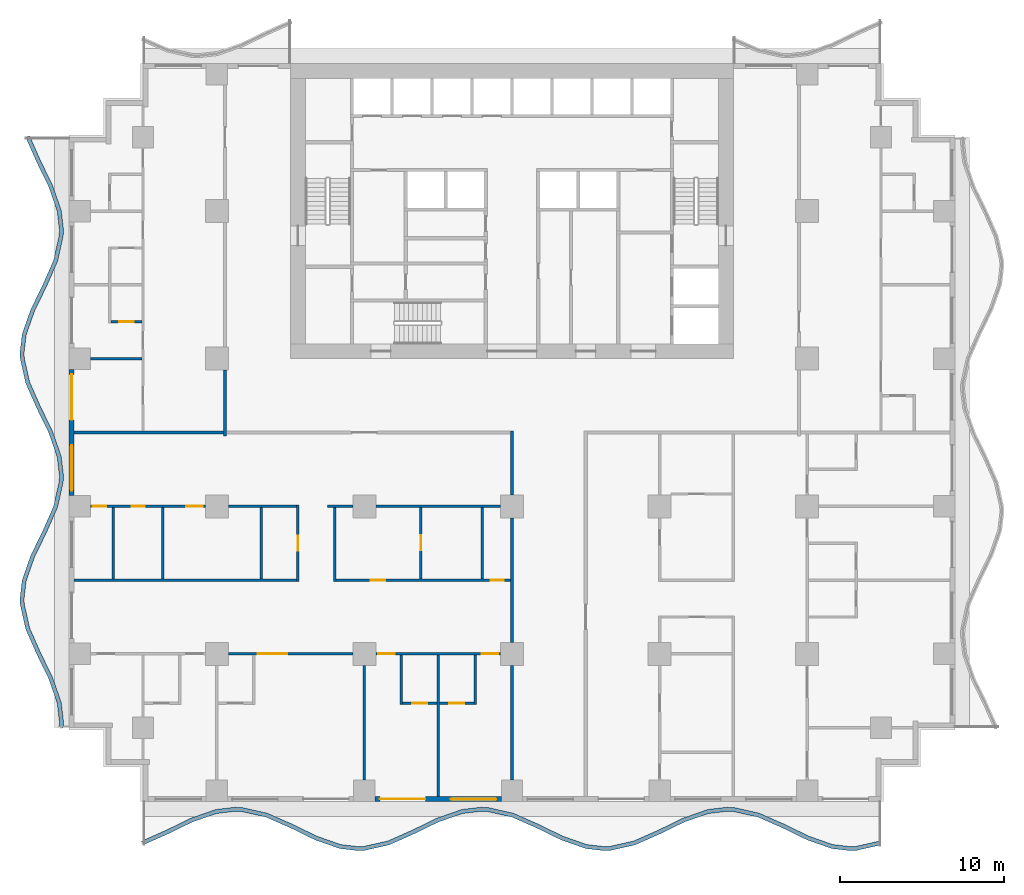
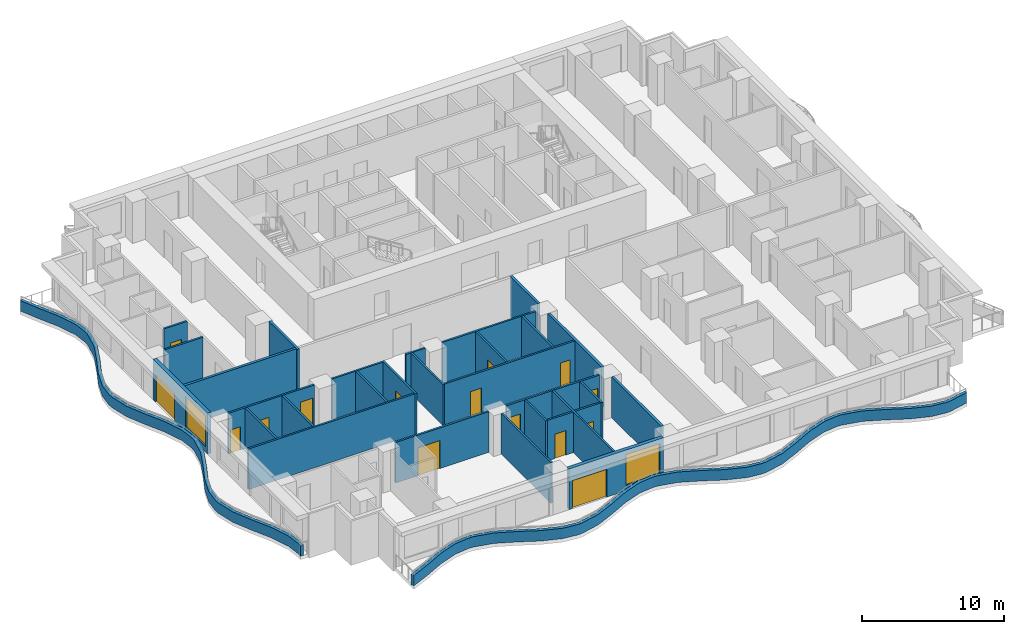
# One storey, part 2 of 14: 32 walls, 15 doors, 2 windows, 17 openings.
"""IFC4 building model written with IfcOpenShell, lengths in metres."""

from ifc_helpers import new_model, si_unit, direction, frame, frame_2d, origin, place, context, subcontext, project, spatial, polyline, rectangle, outline, extrude, material, layer, layer_set, type_object, element, fill, save


model = new_model("IFC4")

# Units and contexts
model_context = context("Model", 3, precision=1e-05, world=origin(), true_north=direction((0.0, 1.0)))
body_context = subcontext(model_context, "Body", "Model", "MODEL_VIEW")
ifc_project = project(units=[si_unit("LENGTHUNIT", "METRE"), si_unit("AREAUNIT", "SQUARE_METRE"), si_unit("VOLUMEUNIT", "CUBIC_METRE"), si_unit("PLANEANGLEUNIT", "RADIAN"), si_unit("MASSUNIT", "GRAM", prefix="KILO")], contexts=[model_context])

# Site, building, storey
site_placement = place(None, origin())
site = spatial("IfcSite", under=ifc_project, at=site_placement, CompositionType="ELEMENT")
building_placement = place(site_placement, origin())
building = spatial("IfcBuilding", under=site, at=building_placement, Name="Orbiselva Terraces", CompositionType="ELEMENT")
storey_placement = place(building_placement, frame((0.0, 0.0, 88.4)))
storey = spatial("IfcBuildingStorey", under=building, at=storey_placement, Name="L22", CompositionType="ELEMENT", Elevation=88.4)

# Walls
ifc_material_1 = material(Name="Concrete C40/50", Category="concrete")
ifc_layer_1 = layer(ifc_material_1, 0.25)
ifc_layer_set_1 = layer_set([ifc_layer_1], Name="Concrete C40/50")
wall_type_1 = type_object("IfcWallType", Name="ENV-PLANTER-250x900", PredefinedType="USERDEFINED", material=ifc_layer_set_1)
wall_1_placement = place(storey_placement, origin())
element("IfcWall", 1, at=wall_1_placement, inside=storey, type_object=wall_type_1, Name="Balcony planter L22 S", ObjectType="PLANTER", PredefinedType="USERDEFINED", context=body_context, shape_type="SweptSolid", body=[
    extrude(outline(polyline([(-22.5, -25.148528), (-21.0, -24.487721), (-19.5, -23.755211), (-18.0, -23.230792), (-16.875, -23.1), (-16.5, -23.114774), (-15.0, -23.451472), (-13.5, -24.112279), (-12.0, -24.844789), (-10.5, -25.369208), (-9.375, -25.5), (-9.0, -25.485226), (-7.5, -25.148528), (-6.0, -24.487721), (-4.5, -23.755211), (-3.0, -23.230792), (-1.875, -23.1), (-1.5, -23.114774), (0.0, -23.451472), (1.5, -24.112279), (3.0, -24.844789), (4.5, -25.369208), (5.625, -25.5), (6.0, -25.485226), (7.5, -25.148528), (9.0, -24.487721), (10.5, -23.755211), (12.0, -23.230792), (13.125, -23.1), (13.5, -23.114774), (15.0, -23.451472), (16.5, -24.112279), (18.0, -24.844789), (19.5, -25.369208), (20.625, -25.5), (21.0, -25.485226), (22.5, -25.148528), (22.445246, -24.904598), (20.967435, -25.236315), (20.634572, -25.249429), (19.556371, -25.124078), (18.09644, -24.613667), (16.605286, -23.885477), (15.078508, -23.212874), (13.532565, -22.865863), (13.115428, -22.849429), (11.943629, -22.985662), (10.40356, -23.524089), (8.894714, -24.260919), (7.421492, -24.90993), (5.967435, -25.236315), (5.634572, -25.249429), (4.556371, -25.124078), (3.09644, -24.613667), (1.605286, -23.885477), (0.078508, -23.212874), (-1.467435, -22.865863), (-1.884572, -22.849429), (-3.056371, -22.985662), (-4.59644, -23.524089), (-6.105286, -24.260919), (-7.578508, -24.90993), (-9.032565, -25.236315), (-9.365428, -25.249429), (-10.443629, -25.124078), (-11.90356, -24.613667), (-13.394714, -23.885477), (-14.921492, -23.212874), (-16.467435, -22.865863), (-16.884572, -22.849429), (-18.056371, -22.985662), (-19.59644, -23.524089), (-21.105286, -24.260919), (-22.600788, -24.919745), (-22.5, -25.148528)])), origin(), (0.0, 0.0, 1.0), 0.9),
])
wall_2_placement = place(storey_placement, origin())
element("IfcWall", 2, at=wall_2_placement, inside=storey, type_object=wall_type_1, Name="Balcony planter L22 W", ObjectType="PLANTER", PredefinedType="USERDEFINED", context=body_context, shape_type="SweptSolid", body=[
    extrude(outline(polyline([(-29.648528, 18.0), (-28.987721, 16.5), (-28.255211, 15.0), (-27.730792, 13.5), (-27.6, 12.375), (-27.614774, 12.0), (-27.951472, 10.5), (-28.612279, 9.0), (-29.344789, 7.5), (-29.869208, 6.0), (-30.0, 4.875), (-29.985226, 4.5), (-29.648528, 3.0), (-28.987721, 1.5), (-28.255211, 0.0), (-27.730792, -1.5), (-27.6, -2.625), (-27.614774, -3.0), (-27.951472, -4.5), (-28.612279, -6.0), (-29.344789, -7.5), (-29.869208, -9.0), (-30.0, -10.125), (-29.985226, -10.5), (-29.648528, -12.0), (-28.987721, -13.5), (-28.255211, -15.0), (-27.730792, -16.5), (-27.6, -17.625), (-27.614774, -18.0), (-27.364968, -18.009842), (-27.349429, -17.615428), (-27.485662, -16.443629), (-28.024089, -14.90356), (-28.760919, -13.394714), (-29.40993, -11.921492), (-29.736315, -10.467435), (-29.749429, -10.134572), (-29.624078, -9.056371), (-29.113667, -7.59644), (-28.385477, -6.105286), (-27.712874, -4.578508), (-27.365863, -3.032565), (-27.349429, -2.615428), (-27.485662, -1.443629), (-28.024089, 0.09644), (-28.760919, 1.605286), (-29.40993, 3.078508), (-29.736315, 4.532565), (-29.749429, 4.865428), (-29.624078, 5.943629), (-29.113667, 7.40356), (-28.385477, 8.894714), (-27.712874, 10.421492), (-27.365863, 11.967435), (-27.349429, 12.384572), (-27.485662, 13.556371), (-28.024089, 15.09644), (-28.760919, 16.605286), (-29.419745, 18.100788), (-29.648528, 18.0)])), origin(), (0.0, 0.0, 1.0), 0.9),
])

# Wall, openings, door, window
ifc_material_2 = material(Name="Terracotta cladding on masonry backing", Category="masonry")
ifc_layer_2 = layer(ifc_material_2, 0.3)
ifc_layer_set_2 = layer_set([ifc_layer_2], Name="Terracotta cladding on masonry backing")
wall_type_2 = type_object("IfcWallType", Name="ENV-WALL-TERRACOTTA-300", PredefinedType="SOLIDWALL", material=ifc_layer_set_2)
wall_3_placement = place(storey_placement, frame((-0.65, -22.35, 0.0), z_axis=(0.0, 0.0, 1.0), x_axis=(-1.0, 0.0, 0.0)))
wall_3 = element("IfcWall", 3, at=wall_3_placement, inside=storey, type_object=wall_type_2, Name="Facade wall L22 S", PredefinedType="SOLIDWALL", context=body_context, shape_type="SweptSolid", body=[
    extrude(rectangle(XDim=7.7, YDim=0.3, at=frame_2d((3.85, 0.0))), origin(), (0.0, 0.0, 1.0), 3.5),
])
opening_1_placement = place(wall_3_placement, frame((4.625, 0.0, 0.0)))
opening_1 = element("IfcOpeningElement", 4, at=opening_1_placement, cuts=wall_3, Name="Opening Z2-B-E02", PredefinedType="OPENING", context=body_context, shape_type="SweptSolid", body=[
    extrude(rectangle(XDim=2.775, YDim=2.4, at=frame_2d((1.3875, 1.2))), frame((0.0, 0.16, 0.0), z_axis=(0.0, -1.0, 0.0), x_axis=(1.0, 0.0, 0.0)), (0.0, 0.0, 1.0), 0.32),
])
opening_2_placement = place(wall_3_placement, frame((0.3, 0.0, 0.45)))
opening_2 = element("IfcOpeningElement", 5, at=opening_2_placement, cuts=wall_3, Name="Opening WN6", PredefinedType="OPENING", context=body_context, shape_type="SweptSolid", body=[
    extrude(rectangle(XDim=2.775, YDim=2.65, at=frame_2d((1.3875, 1.325))), frame((0.0, 0.16, 0.0), z_axis=(0.0, -1.0, 0.0), x_axis=(1.0, 0.0, 0.0)), (0.0, 0.0, 1.0), 0.32),
])
ifc_material_3 = material(Name="Clear low-e glazing in aluminium frame", Category="aluminium")
door_type_1 = type_object("IfcDoorType", Name="BALCONY DOOR 2775 X 2400", OperationType="DOUBLE_DOOR_SLIDING", PredefinedType="DOOR", material=ifc_material_3)
door_1_placement = place(opening_1_placement, origin())
door_1 = element("IfcDoor", 6, at=door_1_placement, inside=storey, type_object=door_type_1, Name="Z2-B-E02", OperationType="SINGLE_SWING_LEFT", OverallHeight=2.4, OverallWidth=2.775, PredefinedType="DOOR", context=body_context, shape_type="SweptSolid", body=[
    extrude(rectangle(XDim=2.775, YDim=2.4, at=frame_2d((1.3875, 1.2))), frame((0.0, 0.025, 0.0), z_axis=(0.0, -1.0, 0.0), x_axis=(1.0, 0.0, 0.0)), (0.0, 0.0, 1.0), 0.05),
])
fill(opening_1, door_1)
window_type = type_object("IfcWindowType", Name="WINDOW 2775 X 2650 S450", PartitioningType="TRIPLE_PANEL_VERTICAL", PredefinedType="WINDOW", material=ifc_material_3)
window_1_placement = place(opening_2_placement, origin())
window_1 = element("IfcWindow", 7, at=window_1_placement, inside=storey, type_object=window_type, Name="Window L22 S", OverallHeight=2.65, OverallWidth=2.775, PartitioningType="SINGLE_PANEL", PredefinedType="WINDOW", context=body_context, shape_type="SweptSolid", body=[
    extrude(rectangle(XDim=2.775, YDim=2.65, at=frame_2d((1.3875, 1.325))), frame((0.0, 0.03, 0.0), z_axis=(0.0, -1.0, 0.0), x_axis=(1.0, 0.0, 0.0)), (0.0, 0.0, 1.0), 0.06),
])
fill(opening_2, window_1)

wall_4_placement = place(storey_placement, frame((-26.85, -3.85, 0.0), z_axis=(0.0, 0.0, 1.0), x_axis=(0.0, 1.0, 0.0)))
wall_4 = element("IfcWall", 8, at=wall_4_placement, inside=storey, type_object=wall_type_2, Name="Facade wall L22 W", PredefinedType="SOLIDWALL", context=body_context, shape_type="SweptSolid", body=[
    extrude(rectangle(XDim=7.7, YDim=0.3, at=frame_2d((3.85, 0.0))), origin(), (0.0, 0.0, 1.0), 3.5),
])
opening_3_placement = place(wall_4_placement, frame((4.625, 0.0, 0.0)))
opening_3 = element("IfcOpeningElement", 9, at=opening_3_placement, cuts=wall_4, Name="Opening Z2-B-E12", PredefinedType="OPENING", context=body_context, shape_type="SweptSolid", body=[
    extrude(rectangle(XDim=2.775, YDim=2.4, at=frame_2d((1.3875, 1.2))), frame((0.0, 0.16, 0.0), z_axis=(0.0, -1.0, 0.0), x_axis=(1.0, 0.0, 0.0)), (0.0, 0.0, 1.0), 0.32),
])
opening_4_placement = place(wall_4_placement, frame((0.3, 0.0, 0.45)))
opening_4 = element("IfcOpeningElement", 10, at=opening_4_placement, cuts=wall_4, Name="Opening WN6", PredefinedType="OPENING", context=body_context, shape_type="SweptSolid", body=[
    extrude(rectangle(XDim=2.775, YDim=2.65, at=frame_2d((1.3875, 1.325))), frame((0.0, 0.16, 0.0), z_axis=(0.0, -1.0, 0.0), x_axis=(1.0, 0.0, 0.0)), (0.0, 0.0, 1.0), 0.32),
])
door_2_placement = place(opening_3_placement, origin())
door_2 = element("IfcDoor", 11, at=door_2_placement, inside=storey, type_object=door_type_1, Name="Z2-B-E12", OperationType="SINGLE_SWING_LEFT", OverallHeight=2.4, OverallWidth=2.775, PredefinedType="DOOR", context=body_context, shape_type="SweptSolid", body=[
    extrude(rectangle(XDim=2.775, YDim=2.4, at=frame_2d((1.3875, 1.2))), frame((0.0, 0.025, 0.0), z_axis=(0.0, -1.0, 0.0), x_axis=(1.0, 0.0, 0.0)), (0.0, 0.0, 1.0), 0.05),
])
fill(opening_3, door_2)
window_2_placement = place(opening_4_placement, origin())
window_2 = element("IfcWindow", 12, at=window_2_placement, inside=storey, type_object=window_type, Name="Window L22 W", OverallHeight=2.65, OverallWidth=2.775, PartitioningType="SINGLE_PANEL", PredefinedType="WINDOW", context=body_context, shape_type="SweptSolid", body=[
    extrude(rectangle(XDim=2.775, YDim=2.65, at=frame_2d((1.3875, 1.325))), frame((0.0, 0.03, 0.0), z_axis=(0.0, -1.0, 0.0), x_axis=(1.0, 0.0, 0.0)), (0.0, 0.0, 1.0), 0.06),
])
fill(opening_4, window_2)

# Walls
ifc_material_4 = material(Name="Plasterboard on steel stud partition", Category="steel")
ifc_layer_3 = layer(ifc_material_4, 0.2)
ifc_layer_set_3 = layer_set([ifc_layer_3], Name="Plasterboard on steel stud partition")
wall_type_3 = type_object("IfcWallType", Name="UNIT-ENTRANCE-WALL-200", PredefinedType="PARTITIONING", material=ifc_layer_set_3)
wall_5_placement = place(storey_placement, frame((-17.5, -0.2, 0.0), z_axis=(0.0, 0.0, 1.0), x_axis=(0.0, 1.0, 0.0)))
element("IfcWall", 13, at=wall_5_placement, inside=storey, type_object=wall_type_3, Name="PARTITION L22-052", PredefinedType="PARTITIONING", context=body_context, shape_type="SweptSolid", body=[
    extrude(rectangle(XDim=4.0, YDim=0.2, at=frame_2d((2.0, 0.0))), origin(), (0.0, 0.0, 1.0), 3.5),
])
wall_6_placement = place(storey_placement, frame((0.0, -21.2, 0.0), z_axis=(0.0, 0.0, 1.0), x_axis=(0.0, 1.0, 0.0)))
element("IfcWall", 14, at=wall_6_placement, inside=storey, type_object=wall_type_3, Name="PARTITION L22-065", PredefinedType="PARTITIONING", context=body_context, shape_type="SweptSolid", body=[
    extrude(rectangle(XDim=7.0, YDim=0.2, at=frame_2d((3.5, 0.0))), origin(), (0.0, 0.0, 1.0), 3.5),
])
wall_7_placement = place(storey_placement, frame((0.0, -12.8, 0.0), z_axis=(0.0, 0.0, 1.0), x_axis=(0.0, 1.0, 0.0)))
element("IfcWall", 15, at=wall_7_placement, inside=storey, type_object=wall_type_3, Name="PARTITION L22-066", PredefinedType="PARTITIONING", context=body_context, shape_type="SweptSolid", body=[
    extrude(rectangle(XDim=7.6, YDim=0.2, at=frame_2d((3.8, 0.0))), origin(), (0.0, 0.0, 1.0), 3.5),
])
wall_8_placement = place(storey_placement, frame((0.0, -3.8, 0.0), z_axis=(0.0, 0.0, 1.0), x_axis=(0.0, 1.0, 0.0)))
element("IfcWall", 16, at=wall_8_placement, inside=storey, type_object=wall_type_3, Name="PARTITION L22-067", PredefinedType="PARTITIONING", context=body_context, shape_type="SweptSolid", body=[
    extrude(rectangle(XDim=3.9, YDim=0.2, at=frame_2d((1.95, 0.0))), origin(), (0.0, 0.0, 1.0), 3.5),
])

# Wall, opening, door
ifc_layer_4 = layer(ifc_material_4, 0.15)
ifc_layer_set_4 = layer_set([ifc_layer_4], Name="Plasterboard on steel stud partition")
wall_type_4 = type_object("IfcWallType", Name="UNIT-PARTITION-150", PredefinedType="PARTITIONING", material=ifc_layer_set_4)
wall_9_placement = place(storey_placement, frame((-6.675, -16.5, 0.0), z_axis=(0.0, 0.0, 1.0), x_axis=(1.0, 0.0, 0.0)))
wall_9 = element("IfcWall", 17, at=wall_9_placement, inside=storey, type_object=wall_type_4, Name="PARTITION L22-006", PredefinedType="PARTITIONING", context=body_context, shape_type="SweptSolid", body=[
    extrude(rectangle(XDim=2.1, YDim=0.15, at=frame_2d((1.05, 0.0))), origin(), (0.0, 0.0, 1.0), 3.5),
])
opening_5_placement = place(wall_9_placement, frame((0.6, 0.0, 0.0)))
opening_5 = element("IfcOpeningElement", 18, at=opening_5_placement, cuts=wall_9, Name="Opening Z2-B-29", PredefinedType="OPENING", context=body_context, shape_type="SweptSolid", body=[
    extrude(rectangle(XDim=0.9, YDim=2.1, at=frame_2d((0.45, 1.05))), frame((0.0, 0.085, 0.0), z_axis=(0.0, -1.0, 0.0), x_axis=(1.0, 0.0, 0.0)), (0.0, 0.0, 1.0), 0.17),
])
ifc_material_5 = material(Name="Painted timber door leaf", Category="wood")
door_type_2 = type_object("IfcDoorType", Name="BATH DOOR 900", OperationType="NOTDEFINED", PredefinedType="DOOR", material=ifc_material_5)
door_3_placement = place(opening_5_placement, origin())
door_3 = element("IfcDoor", 19, at=door_3_placement, inside=storey, type_object=door_type_2, Name="Z2-B-29", OperationType="SINGLE_SWING_LEFT", OverallHeight=2.1, OverallWidth=0.9, PredefinedType="DOOR", context=body_context, shape_type="SweptSolid", body=[
    extrude(rectangle(XDim=0.9, YDim=2.1, at=frame_2d((0.45, 1.05))), frame((0.0, 0.025, 0.0), z_axis=(0.0, -1.0, 0.0), x_axis=(1.0, 0.0, 0.0)), (0.0, 0.0, 1.0), 0.05),
])
fill(opening_5, door_3)

wall_10_placement = place(storey_placement, frame((-4.425, -16.5, 0.0), z_axis=(0.0, 0.0, 1.0), x_axis=(1.0, 0.0, 0.0)))
wall_10 = element("IfcWall", 20, at=wall_10_placement, inside=storey, type_object=wall_type_4, Name="PARTITION L22-007", PredefinedType="PARTITIONING", context=body_context, shape_type="SweptSolid", body=[
    extrude(rectangle(XDim=2.1, YDim=0.15, at=frame_2d((1.05, 0.0))), origin(), (0.0, 0.0, 1.0), 3.5),
])
opening_6_placement = place(wall_10_placement, frame((0.6, 0.0, 0.0)))
opening_6 = element("IfcOpeningElement", 21, at=opening_6_placement, cuts=wall_10, Name="Opening Z2-B-31", PredefinedType="OPENING", context=body_context, shape_type="SweptSolid", body=[
    extrude(rectangle(XDim=0.9, YDim=2.1, at=frame_2d((0.45, 1.05))), frame((0.0, 0.085, 0.0), z_axis=(0.0, -1.0, 0.0), x_axis=(1.0, 0.0, 0.0)), (0.0, 0.0, 1.0), 0.17),
])
door_4_placement = place(opening_6_placement, origin())
door_4 = element("IfcDoor", 22, at=door_4_placement, inside=storey, type_object=door_type_2, Name="Z2-B-31", OperationType="SINGLE_SWING_RIGHT", OverallHeight=2.1, OverallWidth=0.9, PredefinedType="DOOR", context=body_context, shape_type="SweptSolid", body=[
    extrude(rectangle(XDim=0.9, YDim=2.1, at=frame_2d((0.45, 1.05))), frame((0.0, 0.025, 0.0), z_axis=(0.0, -1.0, 0.0), x_axis=(1.0, 0.0, 0.0)), (0.0, 0.0, 1.0), 0.05),
])
fill(opening_6, door_4)

wall_11_placement = place(storey_placement, frame((-9.7, -13.5, 0.0), z_axis=(0.0, 0.0, 1.0), x_axis=(-1.0, 0.0, 0.0)))
wall_11 = element("IfcWall", 23, at=wall_11_placement, inside=storey, type_object=wall_type_4, Name="PARTITION L22-009", PredefinedType="PARTITIONING", context=body_context, shape_type="SweptSolid", body=[
    extrude(rectangle(XDim=7.6, YDim=0.15, at=frame_2d((3.8, 0.0))), origin(), (0.0, 0.0, 1.0), 3.5),
])
opening_7_placement = place(wall_11_placement, frame((4.0, 0.0, 0.0)))
opening_7 = element("IfcOpeningElement", 24, at=opening_7_placement, cuts=wall_11, Name="Opening Z2-B-26", PredefinedType="OPENING", context=body_context, shape_type="SweptSolid", body=[
    extrude(rectangle(XDim=1.8, YDim=2.4, at=frame_2d((0.9, 1.2))), frame((0.0, 0.085, 0.0), z_axis=(0.0, -1.0, 0.0), x_axis=(1.0, 0.0, 0.0)), (0.0, 0.0, 1.0), 0.17),
])
door_type_3 = type_object("IfcDoorType", Name="DOUBLE DOOR 1800", OperationType="NOTDEFINED", PredefinedType="DOOR", material=ifc_material_5)
door_5_placement = place(opening_7_placement, origin())
door_5 = element("IfcDoor", 25, at=door_5_placement, inside=storey, type_object=door_type_3, Name="Z2-B-26", OperationType="DOUBLE_DOOR_SINGLE_SWING", OverallHeight=2.4, OverallWidth=1.8, PredefinedType="DOOR", context=body_context, shape_type="SweptSolid", body=[
    extrude(rectangle(XDim=1.8, YDim=2.4, at=frame_2d((0.9, 1.2))), frame((0.0, 0.025, 0.0), z_axis=(0.0, -1.0, 0.0), x_axis=(1.0, 0.0, 0.0)), (0.0, 0.0, 1.0), 0.05),
])
fill(opening_7, door_5)

# Wall, openings, doors
wall_12_placement = place(storey_placement, frame((-0.7, -13.5, 0.0), z_axis=(0.0, 0.0, 1.0), x_axis=(-1.0, 0.0, 0.0)))
wall_12 = element("IfcWall", 26, at=wall_12_placement, inside=storey, type_object=wall_type_4, Name="PARTITION L22-010", PredefinedType="PARTITIONING", context=body_context, shape_type="SweptSolid", body=[
    extrude(rectangle(XDim=7.6, YDim=0.15, at=frame_2d((3.8, 0.0))), origin(), (0.0, 0.0, 1.0), 3.5),
])
opening_8_placement = place(wall_12_placement, frame((6.45, 0.0, 0.0)))
opening_8 = element("IfcOpeningElement", 27, at=opening_8_placement, cuts=wall_12, Name="Opening Z2-B-28", PredefinedType="OPENING", context=body_context, shape_type="SweptSolid", body=[
    extrude(rectangle(XDim=1.0, YDim=2.4, at=frame_2d((0.5, 1.2))), frame((0.0, 0.085, 0.0), z_axis=(0.0, -1.0, 0.0), x_axis=(1.0, 0.0, 0.0)), (0.0, 0.0, 1.0), 0.17),
])
opening_9_placement = place(wall_12_placement, frame((0.15, 0.0, 0.0)))
opening_9 = element("IfcOpeningElement", 28, at=opening_9_placement, cuts=wall_12, Name="Opening Z2-B-30", PredefinedType="OPENING", context=body_context, shape_type="SweptSolid", body=[
    extrude(rectangle(XDim=1.0, YDim=2.4, at=frame_2d((0.5, 1.2))), frame((0.0, 0.085, 0.0), z_axis=(0.0, -1.0, 0.0), x_axis=(1.0, 0.0, 0.0)), (0.0, 0.0, 1.0), 0.17),
])
door_type_4 = type_object("IfcDoorType", Name="ROOM DOOR 1000", OperationType="NOTDEFINED", PredefinedType="DOOR", material=ifc_material_5)
door_6_placement = place(opening_8_placement, origin())
door_6 = element("IfcDoor", 29, at=door_6_placement, inside=storey, type_object=door_type_4, Name="Z2-B-28", OperationType="SINGLE_SWING_RIGHT", OverallHeight=2.4, OverallWidth=1.0, PredefinedType="DOOR", context=body_context, shape_type="SweptSolid", body=[
    extrude(rectangle(XDim=1.0, YDim=2.4, at=frame_2d((0.5, 1.2))), frame((0.0, 0.025, 0.0), z_axis=(0.0, -1.0, 0.0), x_axis=(1.0, 0.0, 0.0)), (0.0, 0.0, 1.0), 0.05),
])
fill(opening_8, door_6)
door_7_placement = place(opening_9_placement, origin())
door_7 = element("IfcDoor", 30, at=door_7_placement, inside=storey, type_object=door_type_4, Name="Z2-B-30", OperationType="SINGLE_SWING_LEFT", OverallHeight=2.4, OverallWidth=1.0, PredefinedType="DOOR", context=body_context, shape_type="SweptSolid", body=[
    extrude(rectangle(XDim=1.0, YDim=2.4, at=frame_2d((0.5, 1.2))), frame((0.0, 0.025, 0.0), z_axis=(0.0, -1.0, 0.0), x_axis=(1.0, 0.0, 0.0)), (0.0, 0.0, 1.0), 0.05),
])
fill(opening_9, door_7)

# Wall
wall_13_placement = place(storey_placement, frame((-26.7, -9.0, 0.0), z_axis=(0.0, 0.0, 1.0), x_axis=(1.0, 0.0, 0.0)))
element("IfcWall", 31, at=wall_13_placement, inside=storey, type_object=wall_type_4, Name="PARTITION L22-014", PredefinedType="PARTITIONING", context=body_context, shape_type="SweptSolid", body=[
    extrude(rectangle(XDim=13.575, YDim=0.15, at=frame_2d((6.7875, 0.0))), origin(), (0.0, 0.0, 1.0), 3.5),
])

# Wall, openings, doors
wall_14_placement = place(storey_placement, frame((-10.725, -9.0, 0.0), z_axis=(0.0, 0.0, 1.0), x_axis=(1.0, 0.0, 0.0)))
wall_14 = element("IfcWall", 32, at=wall_14_placement, inside=storey, type_object=wall_type_4, Name="PARTITION L22-015", PredefinedType="PARTITIONING", context=body_context, shape_type="SweptSolid", body=[
    extrude(rectangle(XDim=10.625, YDim=0.15, at=frame_2d((5.3125, 0.0))), origin(), (0.0, 0.0, 1.0), 3.5),
])
opening_10_placement = place(wall_14_placement, frame((2.1, 0.0, 0.0)))
opening_10 = element("IfcOpeningElement", 33, at=opening_10_placement, cuts=wall_14, Name="Opening Z2-B-20", PredefinedType="OPENING", context=body_context, shape_type="SweptSolid", body=[
    extrude(rectangle(XDim=0.9, YDim=2.1, at=frame_2d((0.45, 1.05))), frame((0.0, 0.085, 0.0), z_axis=(0.0, -1.0, 0.0), x_axis=(1.0, 0.0, 0.0)), (0.0, 0.0, 1.0), 0.17),
])
opening_11_placement = place(wall_14_placement, frame((9.425, 0.0, 0.0)))
opening_11 = element("IfcOpeningElement", 34, at=opening_11_placement, cuts=wall_14, Name="Opening Z2-B-22", PredefinedType="OPENING", context=body_context, shape_type="SweptSolid", body=[
    extrude(rectangle(XDim=0.8, YDim=2.0, at=frame_2d((0.4, 1.0))), frame((0.0, 0.085, 0.0), z_axis=(0.0, -1.0, 0.0), x_axis=(1.0, 0.0, 0.0)), (0.0, 0.0, 1.0), 0.17),
])
door_type_5 = type_object("IfcDoorType", Name="SERVICE DOOR 900", OperationType="NOTDEFINED", PredefinedType="DOOR", material=ifc_material_5)
door_8_placement = place(opening_10_placement, origin())
door_8 = element("IfcDoor", 35, at=door_8_placement, inside=storey, type_object=door_type_5, Name="Z2-B-20", OperationType="SINGLE_SWING_LEFT", OverallHeight=2.1, OverallWidth=0.9, PredefinedType="DOOR", context=body_context, shape_type="SweptSolid", body=[
    extrude(rectangle(XDim=0.9, YDim=2.1, at=frame_2d((0.45, 1.05))), frame((0.0, 0.025, 0.0), z_axis=(0.0, -1.0, 0.0), x_axis=(1.0, 0.0, 0.0)), (0.0, 0.0, 1.0), 0.05),
])
fill(opening_10, door_8)
door_type_6 = type_object("IfcDoorType", Name="STORE DOOR 800", OperationType="NOTDEFINED", PredefinedType="DOOR", material=ifc_material_5)
door_9_placement = place(opening_11_placement, origin())
door_9 = element("IfcDoor", 36, at=door_9_placement, inside=storey, type_object=door_type_6, Name="Z2-B-22", OperationType="SINGLE_SWING_RIGHT", OverallHeight=2.0, OverallWidth=0.8, PredefinedType="DOOR", context=body_context, shape_type="SweptSolid", body=[
    extrude(rectangle(XDim=0.8, YDim=2.0, at=frame_2d((0.4, 1.0))), frame((0.0, 0.025, 0.0), z_axis=(0.0, -1.0, 0.0), x_axis=(1.0, 0.0, 0.0)), (0.0, 0.0, 1.0), 0.05),
])
fill(opening_11, door_9)

wall_15_placement = place(storey_placement, frame((-18.7, -4.5, 0.0), z_axis=(0.0, 0.0, 1.0), x_axis=(-1.0, 0.0, 0.0)))
wall_15 = element("IfcWall", 37, at=wall_15_placement, inside=storey, type_object=wall_type_4, Name="PARTITION L22-020", PredefinedType="PARTITIONING", context=body_context, shape_type="SweptSolid", body=[
    extrude(rectangle(XDim=7.0, YDim=0.15, at=frame_2d((3.5, 0.0))), origin(), (0.0, 0.0, 1.0), 3.5),
])
opening_12_placement = place(wall_15_placement, frame((6.05, 0.0, 0.0)))
opening_12 = element("IfcOpeningElement", 38, at=opening_12_placement, cuts=wall_15, Name="Opening Z2-B-16", PredefinedType="OPENING", context=body_context, shape_type="SweptSolid", body=[
    extrude(rectangle(XDim=0.8, YDim=2.0, at=frame_2d((0.4, 1.0))), frame((0.0, 0.085, 0.0), z_axis=(0.0, -1.0, 0.0), x_axis=(1.0, 0.0, 0.0)), (0.0, 0.0, 1.0), 0.17),
])
opening_13_placement = place(wall_15_placement, frame((3.7, 0.0, 0.0)))
opening_13 = element("IfcOpeningElement", 39, at=opening_13_placement, cuts=wall_15, Name="Opening Z2-B-17", PredefinedType="OPENING", context=body_context, shape_type="SweptSolid", body=[
    extrude(rectangle(XDim=0.8, YDim=2.0, at=frame_2d((0.4, 1.0))), frame((0.0, 0.085, 0.0), z_axis=(0.0, -1.0, 0.0), x_axis=(1.0, 0.0, 0.0)), (0.0, 0.0, 1.0), 0.17),
])
opening_14_placement = place(wall_15_placement, frame((0.15, 0.0, 0.0)))
opening_14 = element("IfcOpeningElement", 40, at=opening_14_placement, cuts=wall_15, Name="Opening Z2-B-18", PredefinedType="OPENING", context=body_context, shape_type="SweptSolid", body=[
    extrude(rectangle(XDim=1.0, YDim=2.4, at=frame_2d((0.5, 1.2))), frame((0.0, 0.085, 0.0), z_axis=(0.0, -1.0, 0.0), x_axis=(1.0, 0.0, 0.0)), (0.0, 0.0, 1.0), 0.17),
])
door_10_placement = place(opening_14_placement, origin())
door_10 = element("IfcDoor", 41, at=door_10_placement, inside=storey, type_object=door_type_4, Name="Z2-B-18", OperationType="SINGLE_SWING_LEFT", OverallHeight=2.4, OverallWidth=1.0, PredefinedType="DOOR", context=body_context, shape_type="SweptSolid", body=[
    extrude(rectangle(XDim=1.0, YDim=2.4, at=frame_2d((0.5, 1.2))), frame((0.0, 0.025, 0.0), z_axis=(0.0, -1.0, 0.0), x_axis=(1.0, 0.0, 0.0)), (0.0, 0.0, 1.0), 0.05),
])
fill(opening_14, door_10)
door_11_placement = place(opening_12_placement, origin())
door_11 = element("IfcDoor", 42, at=door_11_placement, inside=storey, type_object=door_type_6, Name="Z2-B-16", OperationType="SINGLE_SWING_RIGHT", OverallHeight=2.0, OverallWidth=0.8, PredefinedType="DOOR", context=body_context, shape_type="SweptSolid", body=[
    extrude(rectangle(XDim=0.8, YDim=2.0, at=frame_2d((0.4, 1.0))), frame((0.0, 0.025, 0.0), z_axis=(0.0, -1.0, 0.0), x_axis=(1.0, 0.0, 0.0)), (0.0, 0.0, 1.0), 0.05),
])
fill(opening_12, door_11)
door_12_placement = place(opening_13_placement, origin())
door_12 = element("IfcDoor", 43, at=door_12_placement, inside=storey, type_object=door_type_6, Name="Z2-B-17", OperationType="SINGLE_SWING_RIGHT", OverallHeight=2.0, OverallWidth=0.8, PredefinedType="DOOR", context=body_context, shape_type="SweptSolid", body=[
    extrude(rectangle(XDim=0.8, YDim=2.0, at=frame_2d((0.4, 1.0))), frame((0.0, 0.025, 0.0), z_axis=(0.0, -1.0, 0.0), x_axis=(1.0, 0.0, 0.0)), (0.0, 0.0, 1.0), 0.05),
])
fill(opening_13, door_12)

# Walls
wall_16_placement = place(storey_placement, frame((-17.3, -4.5, 0.0), z_axis=(0.0, 0.0, 1.0), x_axis=(1.0, 0.0, 0.0)))
element("IfcWall", 44, at=wall_16_placement, inside=storey, type_object=wall_type_4, Name="PARTITION L22-021", PredefinedType="PARTITIONING", context=body_context, shape_type="SweptSolid", body=[
    extrude(rectangle(XDim=4.175, YDim=0.15, at=frame_2d((2.0875, 0.0))), origin(), (0.0, 0.0, 1.0), 3.5),
])
wall_17_placement = place(storey_placement, frame((-11.25, -4.5, 0.0), z_axis=(0.0, 0.0, 1.0), x_axis=(1.0, 0.0, 0.0)))
element("IfcWall", 45, at=wall_17_placement, inside=storey, type_object=wall_type_4, Name="PARTITION L22-022", PredefinedType="PARTITIONING", context=body_context, shape_type="SweptSolid", body=[
    extrude(rectangle(XDim=1.55, YDim=0.15, at=frame_2d((0.775, 0.0))), origin(), (0.0, 0.0, 1.0), 3.5),
])
wall_18_placement = place(storey_placement, frame((-8.3, -4.5, 0.0), z_axis=(0.0, 0.0, 1.0), x_axis=(1.0, 0.0, 0.0)))
element("IfcWall", 46, at=wall_18_placement, inside=storey, type_object=wall_type_4, Name="PARTITION L22-023", PredefinedType="PARTITIONING", context=body_context, shape_type="SweptSolid", body=[
    extrude(rectangle(XDim=7.6, YDim=0.15, at=frame_2d((3.8, 0.0))), origin(), (0.0, 0.0, 1.0), 3.5),
])
wall_19_placement = place(storey_placement, frame((-25.7, 4.5, 0.0), z_axis=(0.0, 0.0, 1.0), x_axis=(1.0, 0.0, 0.0)))
element("IfcWall", 47, at=wall_19_placement, inside=storey, type_object=wall_type_4, Name="PARTITION L22-032", PredefinedType="PARTITIONING", context=body_context, shape_type="SweptSolid", body=[
    extrude(rectangle(XDim=3.125, YDim=0.15, at=frame_2d((1.5625, 0.0))), origin(), (0.0, 0.0, 1.0), 3.5),
])

# Wall, opening, door
wall_20_placement = place(storey_placement, frame((-24.45, 6.75, 0.0), z_axis=(0.0, 0.0, 1.0), x_axis=(1.0, 0.0, 0.0)))
wall_20 = element("IfcWall", 48, at=wall_20_placement, inside=storey, type_object=wall_type_4, Name="PARTITION L22-033", PredefinedType="PARTITIONING", context=body_context, shape_type="SweptSolid", body=[
    extrude(rectangle(XDim=1.875, YDim=0.15, at=frame_2d((0.9375, 0.0))), origin(), (0.0, 0.0, 1.0), 3.5),
])
opening_15_placement = place(wall_20_placement, frame((0.5, 0.0, 0.0)))
opening_15 = element("IfcOpeningElement", 49, at=opening_15_placement, cuts=wall_20, Name="Opening Z2-B-04", PredefinedType="OPENING", context=body_context, shape_type="SweptSolid", body=[
    extrude(rectangle(XDim=0.9, YDim=2.1, at=frame_2d((0.45, 1.05))), frame((0.0, 0.085, 0.0), z_axis=(0.0, -1.0, 0.0), x_axis=(1.0, 0.0, 0.0)), (0.0, 0.0, 1.0), 0.17),
])
door_13_placement = place(opening_15_placement, origin())
door_13 = element("IfcDoor", 50, at=door_13_placement, inside=storey, type_object=door_type_2, Name="Z2-B-04", OperationType="SINGLE_SWING_RIGHT", OverallHeight=2.1, OverallWidth=0.9, PredefinedType="DOOR", context=body_context, shape_type="SweptSolid", body=[
    extrude(rectangle(XDim=0.9, YDim=2.1, at=frame_2d((0.45, 1.05))), frame((0.0, 0.025, 0.0), z_axis=(0.0, -1.0, 0.0), x_axis=(1.0, 0.0, 0.0)), (0.0, 0.0, 1.0), 0.05),
])
fill(opening_15, door_13)

# Walls
for number, where, z_axis, x_axis, name in (
    (51, (-24.3, -8.925, 0.0), (0.0, 0.0, 1.0), (0.0, 1.0, 0.0), "PARTITION L22-044"),
    (52, (-21.3, -8.925, 0.0), (0.0, 0.0, 1.0), (0.0, 1.0, 0.0), "PARTITION L22-049"),
    (53, (-15.3, -8.925, 0.0), (0.0, 0.0, 1.0), (0.0, 1.0, 0.0), "PARTITION L22-056"),
):
    element("IfcWall", number, at=place(storey_placement, frame(where, z_axis=z_axis, x_axis=x_axis)), inside=storey, type_object=wall_type_4, Name=name, PredefinedType="PARTITIONING", context=body_context, shape_type="SweptSolid", body=[
        extrude(rectangle(XDim=4.35, YDim=0.15, at=frame_2d((2.175, 0.0))), origin(), (0.0, 0.0, 1.0), 3.5),
    ])

# Wall, opening, door
wall_21_placement = place(storey_placement, frame((-13.05, -9.075, 0.0), z_axis=(0.0, 0.0, 1.0), x_axis=(0.0, 1.0, 0.0)))
wall_21 = element("IfcWall", 54, at=wall_21_placement, inside=storey, type_object=wall_type_4, Name="PARTITION L22-057", PredefinedType="PARTITIONING", context=body_context, shape_type="SweptSolid", body=[
    extrude(rectangle(XDim=4.65, YDim=0.15, at=frame_2d((2.325, 0.0))), origin(), (0.0, 0.0, 1.0), 3.5),
])
opening_16_placement = place(wall_21_placement, frame((1.875, 0.0, 0.0)))
opening_16 = element("IfcOpeningElement", 55, at=opening_16_placement, cuts=wall_21, Name="Opening Z2-B-19", PredefinedType="OPENING", context=body_context, shape_type="SweptSolid", body=[
    extrude(rectangle(XDim=0.9, YDim=2.1, at=frame_2d((0.45, 1.05))), frame((0.0, 0.085, 0.0), z_axis=(0.0, -1.0, 0.0), x_axis=(1.0, 0.0, 0.0)), (0.0, 0.0, 1.0), 0.17),
])
door_14_placement = place(opening_16_placement, origin())
door_14 = element("IfcDoor", 56, at=door_14_placement, inside=storey, type_object=door_type_2, Name="Z2-B-19", OperationType="SINGLE_SWING_LEFT", OverallHeight=2.1, OverallWidth=0.9, PredefinedType="DOOR", context=body_context, shape_type="SweptSolid", body=[
    extrude(rectangle(XDim=0.9, YDim=2.1, at=frame_2d((0.45, 1.05))), frame((0.0, 0.025, 0.0), z_axis=(0.0, -1.0, 0.0), x_axis=(1.0, 0.0, 0.0)), (0.0, 0.0, 1.0), 0.05),
])
fill(opening_16, door_14)

# Walls
wall_22_placement = place(storey_placement, frame((-10.8, -9.075, 0.0), z_axis=(0.0, 0.0, 1.0), x_axis=(0.0, 1.0, 0.0)))
element("IfcWall", 57, at=wall_22_placement, inside=storey, type_object=wall_type_4, Name="PARTITION L22-058", PredefinedType="PARTITIONING", context=body_context, shape_type="SweptSolid", body=[
    extrude(rectangle(XDim=4.5, YDim=0.15, at=frame_2d((2.25, 0.0))), origin(), (0.0, 0.0, 1.0), 3.5),
])
wall_23_placement = place(storey_placement, frame((-9.0, -21.2, 0.0), z_axis=(0.0, 0.0, 1.0), x_axis=(0.0, 1.0, 0.0)))
element("IfcWall", 58, at=wall_23_placement, inside=storey, type_object=wall_type_4, Name="PARTITION L22-059", PredefinedType="PARTITIONING", context=body_context, shape_type="SweptSolid", body=[
    extrude(rectangle(XDim=7.0, YDim=0.15, at=frame_2d((3.5, 0.0))), origin(), (0.0, 0.0, 1.0), 3.5),
])
wall_24_placement = place(storey_placement, frame((-6.75, -16.575, 0.0), z_axis=(0.0, 0.0, 1.0), x_axis=(0.0, 1.0, 0.0)))
element("IfcWall", 59, at=wall_24_placement, inside=storey, type_object=wall_type_4, Name="PARTITION L22-060", PredefinedType="PARTITIONING", context=body_context, shape_type="SweptSolid", body=[
    extrude(rectangle(XDim=3.0, YDim=0.15, at=frame_2d((1.5, 0.0))), origin(), (0.0, 0.0, 1.0), 3.5),
])

# Wall, opening, door
wall_25_placement = place(storey_placement, frame((-5.55, -4.575, 0.0), z_axis=(0.0, 0.0, 1.0), x_axis=(0.0, -1.0, 0.0)))
wall_25 = element("IfcWall", 60, at=wall_25_placement, inside=storey, type_object=wall_type_4, Name="PARTITION L22-061", PredefinedType="PARTITIONING", context=body_context, shape_type="SweptSolid", body=[
    extrude(rectangle(XDim=4.35, YDim=0.15, at=frame_2d((2.175, 0.0))), origin(), (0.0, 0.0, 1.0), 3.5),
])
opening_17_placement = place(wall_25_placement, frame((1.7, 0.0, 0.0)))
opening_17 = element("IfcOpeningElement", 61, at=opening_17_placement, cuts=wall_25, Name="Opening Z2-B-21", PredefinedType="OPENING", context=body_context, shape_type="SweptSolid", body=[
    extrude(rectangle(XDim=0.9, YDim=2.1, at=frame_2d((0.45, 1.05))), frame((0.0, 0.085, 0.0), z_axis=(0.0, -1.0, 0.0), x_axis=(1.0, 0.0, 0.0)), (0.0, 0.0, 1.0), 0.17),
])
door_15_placement = place(opening_17_placement, origin())
door_15 = element("IfcDoor", 62, at=door_15_placement, inside=storey, type_object=door_type_2, Name="Z2-B-21", OperationType="SINGLE_SWING_LEFT", OverallHeight=2.1, OverallWidth=0.9, PredefinedType="DOOR", context=body_context, shape_type="SweptSolid", body=[
    extrude(rectangle(XDim=0.9, YDim=2.1, at=frame_2d((0.45, 1.05))), frame((0.0, 0.025, 0.0), z_axis=(0.0, -1.0, 0.0), x_axis=(1.0, 0.0, 0.0)), (0.0, 0.0, 1.0), 0.05),
])
fill(opening_17, door_15)

# Walls
wall_26_placement = place(storey_placement, frame((-4.5, -22.2, 0.0), z_axis=(0.0, 0.0, 1.0), x_axis=(0.0, 1.0, 0.0)))
element("IfcWall", 63, at=wall_26_placement, inside=storey, type_object=wall_type_4, Name="PARTITION L22-062", PredefinedType="PARTITIONING", context=body_context, shape_type="SweptSolid", body=[
    extrude(rectangle(XDim=8.625, YDim=0.15, at=frame_2d((4.3125, 0.0))), origin(), (0.0, 0.0, 1.0), 3.5),
])
wall_27_placement = place(storey_placement, frame((-2.25, -16.575, 0.0), z_axis=(0.0, 0.0, 1.0), x_axis=(0.0, 1.0, 0.0)))
element("IfcWall", 64, at=wall_27_placement, inside=storey, type_object=wall_type_4, Name="PARTITION L22-063", PredefinedType="PARTITIONING", context=body_context, shape_type="SweptSolid", body=[
    extrude(rectangle(XDim=3.0, YDim=0.15, at=frame_2d((1.5, 0.0))), origin(), (0.0, 0.0, 1.0), 3.5),
])
wall_28_placement = place(storey_placement, frame((-1.8, -8.925, 0.0), z_axis=(0.0, 0.0, 1.0), x_axis=(0.0, 1.0, 0.0)))
element("IfcWall", 65, at=wall_28_placement, inside=storey, type_object=wall_type_4, Name="PARTITION L22-064", PredefinedType="PARTITIONING", context=body_context, shape_type="SweptSolid", body=[
    extrude(rectangle(XDim=4.35, YDim=0.15, at=frame_2d((2.175, 0.0))), origin(), (0.0, 0.0, 1.0), 3.5),
])
ifc_layer_5 = layer(ifc_material_4, 0.2)
ifc_layer_set_5 = layer_set([ifc_layer_5], Name="Plasterboard on steel stud partition")
wall_type_5 = type_object("IfcWallType", Name="UNIT-PARTY-WALL-200", PredefinedType="PARTITIONING", material=ifc_layer_set_5)
wall_29_placement = place(storey_placement, frame((-26.7, 0.0, 0.0), z_axis=(0.0, 0.0, 1.0), x_axis=(1.0, 0.0, 0.0)))
element("IfcWall", 66, at=wall_29_placement, inside=storey, type_object=wall_type_5, Name="PARTITION L22-029", PredefinedType="PARTITIONING", context=body_context, shape_type="SweptSolid", body=[
    extrude(rectangle(XDim=9.1, YDim=0.2, at=frame_2d((4.55, 0.0))), origin(), (0.0, 0.0, 1.0), 3.5),
])

save(model, "model.ifc")
